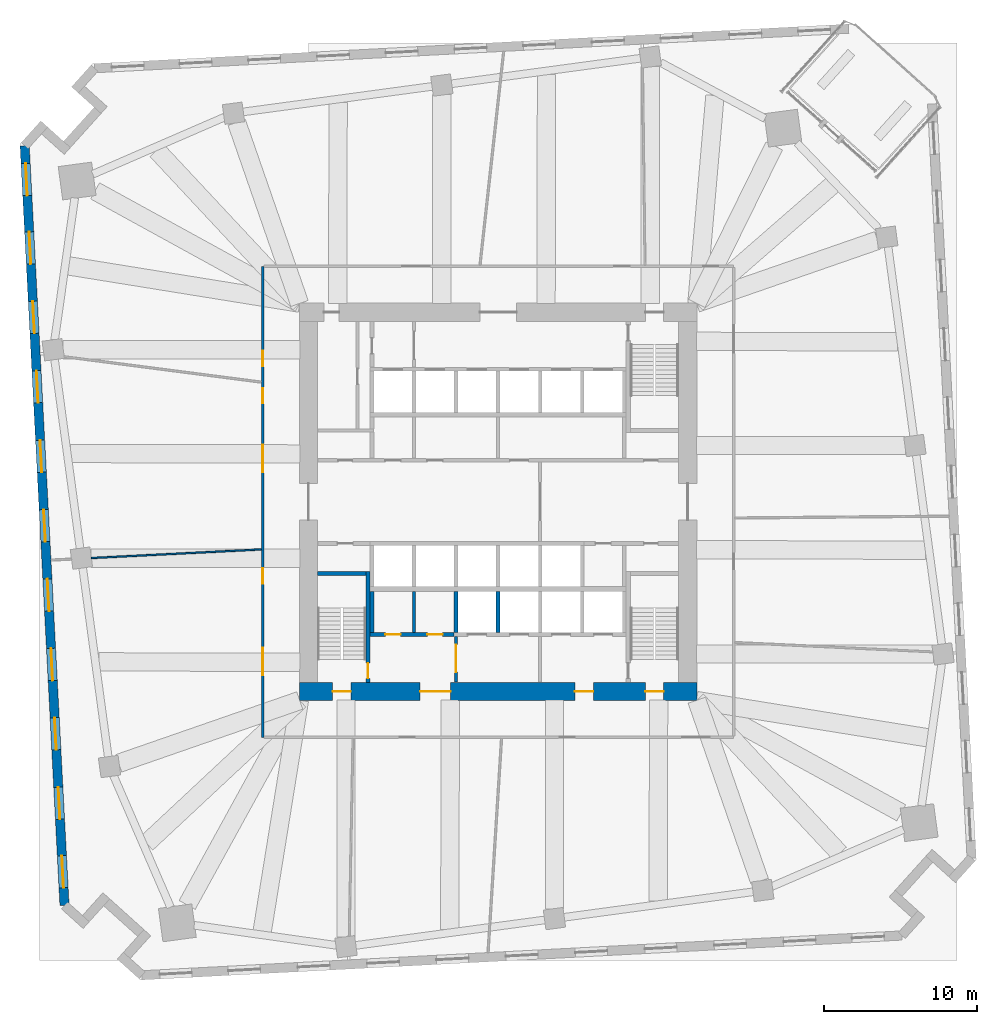
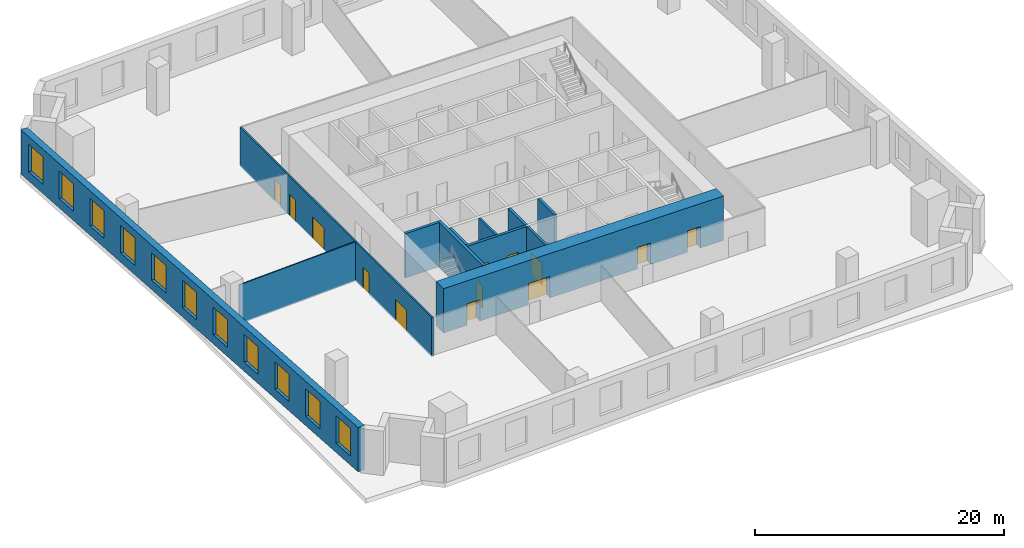
# One storey, part 4 of 10: 13 doors, 12 walls, 11 windows, 24 openings.
"""IFC4 building model written with IfcOpenShell, lengths in metres."""

from ifc_helpers import new_model, si_unit, direction, frame, frame_2d, origin, place, context, subcontext, project, spatial, rectangle, extrude, material, layer, layer_set, type_object, element, fill, save


model = new_model("IFC4")

# Units and contexts
model_context = context("Model", 3, precision=1e-05, world=origin(), true_north=direction((0.0, 1.0)))
body_context = subcontext(model_context, "Body", "Model", "MODEL_VIEW")
ifc_project = project(units=[si_unit("LENGTHUNIT", "METRE"), si_unit("AREAUNIT", "SQUARE_METRE"), si_unit("VOLUMEUNIT", "CUBIC_METRE"), si_unit("PLANEANGLEUNIT", "RADIAN"), si_unit("MASSUNIT", "GRAM", prefix="KILO")], contexts=[model_context])

# Site, building, storey
site_placement = place(None, origin())
site = spatial("IfcSite", under=ifc_project, at=site_placement, CompositionType="ELEMENT")
building_placement = place(site_placement, origin())
building = spatial("IfcBuilding", under=site, at=building_placement, Name="Dilmun Exchange Tower", CompositionType="ELEMENT")
storey_placement = place(building_placement, frame((0.0, 0.0, 22.5)))
storey = spatial("IfcBuildingStorey", under=building, at=storey_placement, Name="L05", CompositionType="ELEMENT", Elevation=22.5)

# Wall, opening, door
ifc_material_1 = material(Name="Concrete C40/50", Category="concrete")
ifc_layer_1 = layer(ifc_material_1, 0.199951171875)
ifc_layer_set_1 = layer_set([ifc_layer_1], Name="Concrete C40/50")
wall_type_1 = type_object("IfcWallType", Name="Core partition wall 200", PredefinedType="PARTITIONING", material=ifc_layer_set_1)
wall_1_placement = place(storey_placement, frame((-2.75, -11.794921875, 0.0), z_axis=(0.0, 0.0, 1.0), x_axis=(0.0, 1.0, 0.0)))
wall_1 = element("IfcWall", 1, at=wall_1_placement, inside=storey, type_object=wall_type_1, Name="L05 core partition wall 01", PredefinedType="PARTITIONING", context=body_context, shape_type="SweptSolid", body=[
    extrude(rectangle(XDim=2.989990234375, YDim=0.199951171875, at=frame_2d((1.4951171875, 0.0))), origin(), (0.0, 0.0, 1.0), 4.35009765625),
])
opening_1_placement = place(wall_1_placement, frame((0.657470703125, 0.0, 0.0)))
opening_1 = element("IfcOpeningElement", 2, at=opening_1_placement, cuts=wall_1, Name="Opening CD5", PredefinedType="OPENING", context=body_context, shape_type="SweptSolid", body=[
    extrude(rectangle(XDim=1.800048828125, YDim=2.10009765625, at=frame_2d((0.89990234375, 1.050048828125))), frame((0.0, 0.10986328125, 0.0), z_axis=(0.0, -1.0, 0.0), x_axis=(1.0, 0.0, 0.0)), (0.0, 0.0, 1.0), 0.219970703125),
])
ifc_material_2 = material(Name="Fire-rated steel door set", Category="steel")
door_type_1 = type_object("IfcDoorType", Name="Stair exit door 1800x2100", OperationType="SINGLE_SWING_LEFT", PredefinedType="DOOR", material=ifc_material_2)
door_1_placement = place(opening_1_placement, origin())
door_1 = element("IfcDoor", 3, at=door_1_placement, inside=storey, type_object=door_type_1, Name="L05 door Service lobby east", OperationType="SINGLE_SWING_LEFT", OverallHeight=2.10009765625, OverallWidth=1.800048828125, PredefinedType="DOOR", context=body_context, shape_type="SweptSolid", body=[
    extrude(rectangle(XDim=1.800048828125, YDim=2.10009765625, at=frame_2d((0.89990234375, 1.050048828125))), frame((0.0, 0.02490234375, 0.0), z_axis=(0.0, -1.0, 0.0), x_axis=(1.0, 0.0, 0.0)), (0.0, 0.0, 1.0), 0.050048828125),
])
fill(opening_1, door_1)

# Wall
wall_2_placement = place(storey_placement, frame((-5.5, -8.544921875, 0.0), z_axis=(0.0, 0.0, 1.0), x_axis=(0.0, 1.0, 0.0)))
element("IfcWall", 4, at=wall_2_placement, inside=storey, type_object=wall_type_1, Name="L05 core partition wall 05", PredefinedType="PARTITIONING", context=body_context, shape_type="SweptSolid", body=[
    extrude(rectangle(XDim=2.68994140625, YDim=0.199951171875, at=frame_2d((1.344970703125, 0.0))), origin(), (0.0, 0.0, 1.0), 4.35009765625),
])

# Wall, openings, doors
ifc_layer_2 = layer(ifc_material_1, 0.25)
ifc_layer_set_2 = layer_set([ifc_layer_2], Name="Concrete C40/50")
wall_type_2 = type_object("IfcWallType", Name="Core partition wall 250", PredefinedType="PARTITIONING", material=ifc_layer_set_2)
wall_3_placement = place(storey_placement, frame((-8.3701171875, -8.675048828125, 0.0), z_axis=(0.0, 0.0, 1.0), x_axis=(1.0, 0.0, 0.0)))
wall_3 = element("IfcWall", 5, at=wall_3_placement, inside=storey, type_object=wall_type_2, Name="L05 core partition wall 03", PredefinedType="PARTITIONING", context=body_context, shape_type="SweptSolid", body=[
    extrude(rectangle(XDim=5.490234375, YDim=0.25, at=frame_2d((2.7451171875, 0.0))), origin(), (0.0, 0.0, 1.0), 4.35009765625),
])
opening_2_placement = place(wall_3_placement, frame((0.9951171875, 0.0, 0.0)))
opening_2 = element("IfcOpeningElement", 6, at=opening_2_placement, cuts=wall_3, Name="Opening CD4", PredefinedType="OPENING", context=body_context, shape_type="SweptSolid", body=[
    extrude(rectangle(XDim=1.0, YDim=2.10009765625, at=frame_2d((0.5, 1.050048828125))), frame((0.0, 0.135009765625, 0.0), z_axis=(0.0, -1.0, 0.0), x_axis=(1.0, 0.0, 0.0)), (0.0, 0.0, 1.0), 0.27001953125),
])
opening_3_placement = place(wall_3_placement, frame((3.7451171875, 0.0, 0.0)))
opening_3 = element("IfcOpeningElement", 7, at=opening_3_placement, cuts=wall_3, Name="Opening CD4", PredefinedType="OPENING", context=body_context, shape_type="SweptSolid", body=[
    extrude(rectangle(XDim=1.0, YDim=2.10009765625, at=frame_2d((0.5, 1.050048828125))), frame((0.0, 0.135009765625, 0.0), z_axis=(0.0, -1.0, 0.0), x_axis=(1.0, 0.0, 0.0)), (0.0, 0.0, 1.0), 0.27001953125),
])
door_type_2 = type_object("IfcDoorType", Name="Core room door 1000x2100", OperationType="SINGLE_SWING_LEFT", PredefinedType="DOOR", material=ifc_material_2)
door_2_placement = place(opening_2_placement, origin())
door_2 = element("IfcDoor", 8, at=door_2_placement, inside=storey, type_object=door_type_2, Name="L05 door Male WC", OperationType="SINGLE_SWING_RIGHT", OverallHeight=2.10009765625, OverallWidth=1.0, PredefinedType="DOOR", context=body_context, shape_type="SweptSolid", body=[
    extrude(rectangle(XDim=1.0, YDim=2.10009765625, at=frame_2d((0.5, 1.050048828125))), frame((0.0, 0.02490234375, 0.0), z_axis=(0.0, -1.0, 0.0), x_axis=(1.0, 0.0, 0.0)), (0.0, 0.0, 1.0), 0.050048828125),
])
fill(opening_2, door_2)
door_3_placement = place(opening_3_placement, origin())
door_3 = element("IfcDoor", 9, at=door_3_placement, inside=storey, type_object=door_type_2, Name="L05 door Female WC", OperationType="SINGLE_SWING_RIGHT", OverallHeight=2.10009765625, OverallWidth=1.0, PredefinedType="DOOR", context=body_context, shape_type="SweptSolid", body=[
    extrude(rectangle(XDim=1.0, YDim=2.10009765625, at=frame_2d((0.5, 1.050048828125))), frame((0.0, 0.02490234375, 0.0), z_axis=(0.0, -1.0, 0.0), x_axis=(1.0, 0.0, 0.0)), (0.0, 0.0, 1.0), 0.050048828125),
])
fill(opening_3, door_3)

# Wall
wall_4_placement = place(storey_placement, frame((-8.25, -8.544921875, 0.0), z_axis=(0.0, 0.0, 1.0), x_axis=(0.0, 1.0, 0.0)))
element("IfcWall", 10, at=wall_4_placement, inside=storey, type_object=wall_type_2, Name="L05 core partition wall 04", PredefinedType="PARTITIONING", context=body_context, shape_type="SweptSolid", body=[
    extrude(rectangle(XDim=2.68994140625, YDim=0.25, at=frame_2d((1.344970703125, 0.0))), origin(), (0.0, 0.0, 1.0), 4.35009765625),
])

# Wall, openings, doors
ifc_material_3 = material(Name="Concrete C80/95", Category="concrete")
ifc_layer_3 = layer(ifc_material_3, 1.199951171875)
ifc_layer_set_3 = layer_set([ifc_layer_3], Name="Concrete C80/95")
wall_type_3 = type_object("IfcWallType", Name="Core shear wall 1200 Concrete C80/95", PredefinedType="SHEAR", material=ifc_layer_set_3)
wall_5_placement = place(storey_placement, frame((-13.0, -12.39990234375, 0.0), z_axis=(0.0, 0.0, 1.0), x_axis=(1.0, 0.0, 0.0)))
wall_5 = element("IfcWall", 11, at=wall_5_placement, inside=storey, type_object=wall_type_3, Name="L05 core shear wall S", PredefinedType="SHEAR", context=body_context, shape_type="SweptSolid", body=[
    extrude(rectangle(XDim=26.0, YDim=1.199951171875, at=frame_2d((13.0, 0.0))), origin(), (0.0, 0.0, 1.0), 4.35009765625),
])
opening_4_placement = place(wall_5_placement, frame((7.89990234375, 0.0, 0.0)))
opening_4 = element("IfcOpeningElement", 12, at=opening_4_placement, cuts=wall_5, Name="Opening CD2", PredefinedType="OPENING", context=body_context, shape_type="SweptSolid", body=[
    extrude(rectangle(XDim=2.0, YDim=2.10009765625, at=frame_2d((1.0, 1.050048828125))), frame((0.0, 0.60986328125, 0.0), z_axis=(0.0, -1.0, 0.0), x_axis=(1.0, 0.0, 0.0)), (0.0, 0.0, 1.0), 1.219970703125),
])
opening_5_placement = place(wall_5_placement, frame((18.02490234375, 0.0, 0.0)))
opening_5 = element("IfcOpeningElement", 13, at=opening_5_placement, cuts=wall_5, Name="Opening CD3", PredefinedType="OPENING", context=body_context, shape_type="SweptSolid", body=[
    extrude(rectangle(XDim=1.199951171875, YDim=2.10009765625, at=frame_2d((0.60009765625, 1.050048828125))), frame((0.0, 0.60986328125, 0.0), z_axis=(0.0, -1.0, 0.0), x_axis=(1.0, 0.0, 0.0)), (0.0, 0.0, 1.0), 1.219970703125),
])
opening_6_placement = place(wall_5_placement, frame((2.175048828125, 0.0, 0.0)))
opening_6 = element("IfcOpeningElement", 14, at=opening_6_placement, cuts=wall_5, Name="Opening CD3", PredefinedType="OPENING", context=body_context, shape_type="SweptSolid", body=[
    extrude(rectangle(XDim=1.199951171875, YDim=2.10009765625, at=frame_2d((0.60009765625, 1.050048828125))), frame((0.0, 0.60986328125, 0.0), z_axis=(0.0, -1.0, 0.0), x_axis=(1.0, 0.0, 0.0)), (0.0, 0.0, 1.0), 1.219970703125),
])
opening_7_placement = place(wall_5_placement, frame((22.625, 0.0, 0.0)))
opening_7 = element("IfcOpeningElement", 15, at=opening_7_placement, cuts=wall_5, Name="Opening CD3", PredefinedType="OPENING", context=body_context, shape_type="SweptSolid", body=[
    extrude(rectangle(XDim=1.199951171875, YDim=2.10009765625, at=frame_2d((0.60009765625, 1.050048828125))), frame((0.0, 0.60986328125, 0.0), z_axis=(0.0, -1.0, 0.0), x_axis=(1.0, 0.0, 0.0)), (0.0, 0.0, 1.0), 1.219970703125),
])
door_type_3 = type_object("IfcDoorType", Name="Core service door 2000x2100", OperationType="DOUBLE_DOOR_DOUBLE_SWING", PredefinedType="DOOR", material=ifc_material_2)
door_4_placement = place(opening_4_placement, origin())
door_4 = element("IfcDoor", 16, at=door_4_placement, inside=storey, type_object=door_type_3, Name="L05 door South service lobby", OperationType="SINGLE_SWING_LEFT", OverallHeight=2.10009765625, OverallWidth=2.0, PredefinedType="DOOR", context=body_context, shape_type="SweptSolid", body=[
    extrude(rectangle(XDim=2.0, YDim=2.10009765625, at=frame_2d((1.0, 1.050048828125))), frame((0.0, 0.02490234375, 0.0), z_axis=(0.0, -1.0, 0.0), x_axis=(1.0, 0.0, 0.0)), (0.0, 0.0, 1.0), 0.050048828125),
])
fill(opening_4, door_4)
door_type_4 = type_object("IfcDoorType", Name="Stair exit door 1200x2100", OperationType="SINGLE_SWING_LEFT", PredefinedType="DOOR", material=ifc_material_2)
door_5_placement = place(opening_5_placement, origin())
door_5 = element("IfcDoor", 17, at=door_5_placement, inside=storey, type_object=door_type_4, Name="L05 door Fire-fighting lobby", OperationType="SINGLE_SWING_LEFT", OverallHeight=2.10009765625, OverallWidth=1.199951171875, PredefinedType="DOOR", context=body_context, shape_type="SweptSolid", body=[
    extrude(rectangle(XDim=1.199951171875, YDim=2.10009765625, at=frame_2d((0.60009765625, 1.050048828125))), frame((0.0, 0.02490234375, 0.0), z_axis=(0.0, -1.0, 0.0), x_axis=(1.0, 0.0, 0.0)), (0.0, 0.0, 1.0), 0.050048828125),
])
fill(opening_5, door_5)
door_6_placement = place(opening_6_placement, origin())
door_6 = element("IfcDoor", 18, at=door_6_placement, inside=storey, type_object=door_type_4, Name="L05 door Stair ST2", OperationType="SINGLE_SWING_LEFT", OverallHeight=2.10009765625, OverallWidth=1.199951171875, PredefinedType="DOOR", context=body_context, shape_type="SweptSolid", body=[
    extrude(rectangle(XDim=1.199951171875, YDim=2.10009765625, at=frame_2d((0.60009765625, 1.050048828125))), frame((0.0, 0.02490234375, 0.0), z_axis=(0.0, -1.0, 0.0), x_axis=(1.0, 0.0, 0.0)), (0.0, 0.0, 1.0), 0.050048828125),
])
fill(opening_6, door_6)
door_7_placement = place(opening_7_placement, origin())
door_7 = element("IfcDoor", 19, at=door_7_placement, inside=storey, type_object=door_type_4, Name="L05 door Stair ST3", OperationType="SINGLE_SWING_LEFT", OverallHeight=2.10009765625, OverallWidth=1.199951171875, PredefinedType="DOOR", context=body_context, shape_type="SweptSolid", body=[
    extrude(rectangle(XDim=1.199951171875, YDim=2.10009765625, at=frame_2d((0.60009765625, 1.050048828125))), frame((0.0, 0.02490234375, 0.0), z_axis=(0.0, -1.0, 0.0), x_axis=(1.0, 0.0, 0.0)), (0.0, 0.0, 1.0), 0.050048828125),
])
fill(opening_7, door_7)

ifc_material_4 = material(Name="Corridor wall 150")
ifc_layer_4 = layer(ifc_material_4, 0.14990234375)
ifc_layer_set_4 = layer_set([ifc_layer_4], Name="Corridor wall 150")
wall_type_4 = type_object("IfcWallType", Name="Corridor wall 150", PredefinedType="PARTITIONING", material=ifc_layer_set_4)
wall_6_placement = place(storey_placement, frame((-15.39990234375, -15.39990234375, 0.0), z_axis=(0.0, 0.0, 1.0), x_axis=(0.0, 1.0, 0.0)))
wall_6 = element("IfcWall", 20, at=wall_6_placement, inside=storey, type_object=wall_type_4, Name="Corridor wall", PredefinedType="PARTITIONING", context=body_context, shape_type="SweptSolid", body=[
    extrude(rectangle(XDim=30.7998046875, YDim=0.14990234375, at=frame_2d((15.39990234375, 0.0))), origin(), (0.0, 0.0, 1.0), 3.85009765625),
])
opening_8_placement = place(wall_6_placement, frame((17.34228515625, 0.0, 0.0)))
opening_8 = element("IfcOpeningElement", 21, at=opening_8_placement, cuts=wall_6, Name="Opening TF05-D01", PredefinedType="OPENING", context=body_context, shape_type="SweptSolid", body=[
    extrude(rectangle(XDim=1.800048828125, YDim=2.10009765625, at=frame_2d((0.89990234375, 1.050048828125))), frame((0.0, 0.0849609375, 0.0), z_axis=(0.0, -1.0, 0.0), x_axis=(1.0, 0.0, 0.0)), (0.0, 0.0, 1.0), 0.169921875),
])
opening_9_placement = place(wall_6_placement, frame((21.84228515625, 0.0, 0.0)))
opening_9 = element("IfcOpeningElement", 22, at=opening_9_placement, cuts=wall_6, Name="Opening TF05-D02", PredefinedType="OPENING", context=body_context, shape_type="SweptSolid", body=[
    extrude(rectangle(XDim=1.0, YDim=2.10009765625, at=frame_2d((0.5, 1.050048828125))), frame((0.0, 0.0849609375, 0.0), z_axis=(0.0, -1.0, 0.0), x_axis=(1.0, 0.0, 0.0)), (0.0, 0.0, 1.0), 0.169921875),
])
opening_10_placement = place(wall_6_placement, frame((4.050048828125, 0.0, 0.0)))
opening_10 = element("IfcOpeningElement", 23, at=opening_10_placement, cuts=wall_6, Name="Opening TF05-D03", PredefinedType="OPENING", context=body_context, shape_type="SweptSolid", body=[
    extrude(rectangle(XDim=1.800048828125, YDim=2.10009765625, at=frame_2d((0.89990234375, 1.050048828125))), frame((0.0, 0.0849609375, 0.0), z_axis=(0.0, -1.0, 0.0), x_axis=(1.0, 0.0, 0.0)), (0.0, 0.0, 1.0), 0.169921875),
])
opening_11_placement = place(wall_6_placement, frame((10.050048828125, 0.0, 0.0)))
opening_11 = element("IfcOpeningElement", 24, at=opening_11_placement, cuts=wall_6, Name="Opening TF05-D04", PredefinedType="OPENING", context=body_context, shape_type="SweptSolid", body=[
    extrude(rectangle(XDim=1.0, YDim=2.10009765625, at=frame_2d((0.5, 1.050048828125))), frame((0.0, 0.0849609375, 0.0), z_axis=(0.0, -1.0, 0.0), x_axis=(1.0, 0.0, 0.0)), (0.0, 0.0, 1.0), 0.169921875),
])
opening_12_placement = place(wall_6_placement, frame((24.265869140625, 0.0, 0.0)))
opening_12 = element("IfcOpeningElement", 25, at=opening_12_placement, cuts=wall_6, Name="Opening TF05-D06", PredefinedType="OPENING", context=body_context, shape_type="SweptSolid", body=[
    extrude(rectangle(XDim=1.0, YDim=2.10009765625, at=frame_2d((0.5, 1.050048828125))), frame((0.0, 0.0849609375, 0.0), z_axis=(0.0, -1.0, 0.0), x_axis=(1.0, 0.0, 0.0)), (0.0, 0.0, 1.0), 0.169921875),
])
ifc_material_5 = material(Name="Fire door 1000 x 2100")
door_type_5 = type_object("IfcDoorType", Name="Fire door 1000 x 2100", OperationType="NOTDEFINED", PredefinedType="DOOR", material=ifc_material_5)
door_8_placement = place(opening_9_placement, origin())
door_8 = element("IfcDoor", 26, at=door_8_placement, inside=storey, type_object=door_type_5, Name="Door TF05-D02", OperationType="SINGLE_SWING_RIGHT", OverallHeight=2.10009765625, OverallWidth=1.0, PredefinedType="DOOR", context=body_context, shape_type="SweptSolid", body=[
    extrude(rectangle(XDim=1.0, YDim=2.10009765625, at=frame_2d((0.5, 1.050048828125))), frame((0.0, 0.02490234375, 0.0), z_axis=(0.0, -1.0, 0.0), x_axis=(1.0, 0.0, 0.0)), (0.0, 0.0, 1.0), 0.050048828125),
])
fill(opening_9, door_8)
door_9_placement = place(opening_11_placement, origin())
door_9 = element("IfcDoor", 27, at=door_9_placement, inside=storey, type_object=door_type_5, Name="Door TF05-D04", OperationType="SINGLE_SWING_RIGHT", OverallHeight=2.10009765625, OverallWidth=1.0, PredefinedType="DOOR", context=body_context, shape_type="SweptSolid", body=[
    extrude(rectangle(XDim=1.0, YDim=2.10009765625, at=frame_2d((0.5, 1.050048828125))), frame((0.0, 0.02490234375, 0.0), z_axis=(0.0, -1.0, 0.0), x_axis=(1.0, 0.0, 0.0)), (0.0, 0.0, 1.0), 0.050048828125),
])
fill(opening_11, door_9)
door_10_placement = place(opening_12_placement, origin())
door_10 = element("IfcDoor", 28, at=door_10_placement, inside=storey, type_object=door_type_5, Name="Door TF05-D06", OperationType="SINGLE_SWING_LEFT", OverallHeight=2.10009765625, OverallWidth=1.0, PredefinedType="DOOR", context=body_context, shape_type="SweptSolid", body=[
    extrude(rectangle(XDim=1.0, YDim=2.10009765625, at=frame_2d((0.5, 1.050048828125))), frame((0.0, 0.02490234375, 0.0), z_axis=(0.0, -1.0, 0.0), x_axis=(1.0, 0.0, 0.0)), (0.0, 0.0, 1.0), 0.050048828125),
])
fill(opening_12, door_10)
ifc_material_6 = material(Name="Fire door pair 1800 x 2100")
door_type_6 = type_object("IfcDoorType", Name="Fire door pair 1800 x 2100", OperationType="NOTDEFINED", PredefinedType="DOOR", material=ifc_material_6)
door_11_placement = place(opening_8_placement, origin())
door_11 = element("IfcDoor", 29, at=door_11_placement, inside=storey, type_object=door_type_6, Name="Door TF05-D01", OperationType="DOUBLE_DOOR_SINGLE_SWING", OverallHeight=2.10009765625, OverallWidth=1.800048828125, PredefinedType="DOOR", context=body_context, shape_type="SweptSolid", body=[
    extrude(rectangle(XDim=1.800048828125, YDim=2.10009765625, at=frame_2d((0.89990234375, 1.050048828125))), frame((0.0, 0.02490234375, 0.0), z_axis=(0.0, -1.0, 0.0), x_axis=(1.0, 0.0, 0.0)), (0.0, 0.0, 1.0), 0.050048828125),
])
fill(opening_8, door_11)
door_12_placement = place(opening_10_placement, origin())
door_12 = element("IfcDoor", 30, at=door_12_placement, inside=storey, type_object=door_type_6, Name="Door TF05-D03", OperationType="DOUBLE_DOOR_SINGLE_SWING", OverallHeight=2.10009765625, OverallWidth=1.800048828125, PredefinedType="DOOR", context=body_context, shape_type="SweptSolid", body=[
    extrude(rectangle(XDim=1.800048828125, YDim=2.10009765625, at=frame_2d((0.89990234375, 1.050048828125))), frame((0.0, 0.02490234375, 0.0), z_axis=(0.0, -1.0, 0.0), x_axis=(1.0, 0.0, 0.0)), (0.0, 0.0, 1.0), 0.050048828125),
])
fill(opening_10, door_12)

# Walls
ifc_layer_5 = layer(ifc_material_1, 0.25)
ifc_layer_set_5 = layer_set([ifc_layer_5], Name="Concrete C40/50")
wall_type_5 = type_object("IfcWallType", Name="Lift shaft wall 250", PredefinedType="SOLIDWALL", material=ifc_layer_set_5)
for number, where, z_axis, x_axis, name in (
    (31, (-2.75, -8.550048828125, 0.0), (0.0, 0.0, 1.0), (0.0, 1.0, 0.0), "L05 lift shaft divider S22"),
    (32, (0.0, -8.550048828125, 0.0), (0.0, 0.0, 1.0), (0.0, 1.0, 0.0), "L05 lift shaft divider S23"),
):
    element("IfcWall", number, at=place(storey_placement, frame(where, z_axis=z_axis, x_axis=x_axis)), inside=storey, type_object=wall_type_5, Name=name, PredefinedType="SOLIDWALL", context=body_context, shape_type="SweptSolid", body=[
        extrude(rectangle(XDim=2.699951171875, YDim=0.25, at=frame_2d((1.35009765625, 0.0))), origin(), (0.0, 0.0, 1.0), 4.35009765625),
    ])
ifc_material_7 = material(Name="Partition 100")
ifc_layer_6 = layer(ifc_material_7, 0.10009765625)
ifc_layer_set_6 = layer_set([ifc_layer_6], Name="Partition 100")
wall_type_6 = type_object("IfcWallType", Name="Partition 100", PredefinedType="PARTITIONING", material=ifc_layer_set_6)
wall_7_placement = place(storey_placement, frame((-26.597900390625, -3.67529296875, 0.0), z_axis=(0.0, 0.0, 1.0), x_axis=(0.998709825914, 0.050780740671, 0.0)))
element("IfcWall", 33, at=wall_7_placement, inside=storey, type_object=wall_type_6, Name="Partition", PredefinedType="PARTITIONING", context=body_context, shape_type="SweptSolid", body=[
    extrude(rectangle(XDim=11.134765625, YDim=0.10009765625, at=frame_2d((5.5673828125, 0.0))), origin(), (0.0, 0.0, 1.0), 3.85009765625),
])

# Wall, openings, windows
ifc_material_8 = material(Name="Precast concrete C50/60", Category="concrete")
ifc_layer_7 = layer(ifc_material_8, 0.60009765625)
ifc_layer_set_7 = layer_set([ifc_layer_7], Name="Precast concrete C50/60")
wall_type_7 = type_object("IfcWallType", Name="Precast stone-clad wall 600", PredefinedType="STANDARD", material=ifc_layer_set_7)
wall_8_placement = place(storey_placement, frame((-30.961181640625, 23.287353515625, 0.0), z_axis=(0.0, 0.0, 1.0), x_axis=(0.052335269612, -0.998629570739, 0.0)))
wall_8 = element("IfcWall", 34, at=wall_8_placement, inside=storey, type_object=wall_type_7, Name="Facade wall L05-09", PredefinedType="STANDARD", context=body_context, shape_type="SweptSolid", body=[
    extrude(rectangle(XDim=49.75146484375, YDim=0.60009765625, at=frame_2d((24.875732421875, 0.0))), origin(), (0.0, 0.0, 1.0), 4.35009765625),
])
opening_13_placement = place(wall_8_placement, frame((1.16064453125, 0.0, 0.89990234375)))
opening_13 = element("IfcOpeningElement", 35, at=opening_13_placement, cuts=wall_8, Name="Opening W210-270", PredefinedType="OPENING", context=body_context, shape_type="SweptSolid", body=[
    extrude(rectangle(XDim=2.10009765625, YDim=2.699951171875, at=frame_2d((1.050048828125, 1.35009765625))), frame((0.0, 0.31005859375, 0.0), z_axis=(0.0, -1.0, 0.0), x_axis=(1.0, 0.0, 0.0)), (0.0, 0.0, 1.0), 0.6201171875),
])
opening_14_placement = place(wall_8_placement, frame((5.643798828125, 0.0, 0.89990234375)))
opening_14 = element("IfcOpeningElement", 36, at=opening_14_placement, cuts=wall_8, Name="Opening W210-270", PredefinedType="OPENING", context=body_context, shape_type="SweptSolid", body=[
    extrude(rectangle(XDim=2.10009765625, YDim=2.699951171875, at=frame_2d((1.050048828125, 1.35009765625))), frame((0.0, 0.31005859375, 0.0), z_axis=(0.0, -1.0, 0.0), x_axis=(1.0, 0.0, 0.0)), (0.0, 0.0, 1.0), 0.6201171875),
])
opening_15_placement = place(wall_8_placement, frame((10.189453125, 0.0, 0.89990234375)))
opening_15 = element("IfcOpeningElement", 37, at=opening_15_placement, cuts=wall_8, Name="Opening W210-270", PredefinedType="OPENING", context=body_context, shape_type="SweptSolid", body=[
    extrude(rectangle(XDim=2.10009765625, YDim=2.699951171875, at=frame_2d((1.050048828125, 1.35009765625))), frame((0.0, 0.31005859375, 0.0), z_axis=(0.0, -1.0, 0.0), x_axis=(1.0, 0.0, 0.0)), (0.0, 0.0, 1.0), 0.6201171875),
])
opening_16_placement = place(wall_8_placement, frame((14.73486328125, 0.0, 0.89990234375)))
opening_16 = element("IfcOpeningElement", 38, at=opening_16_placement, cuts=wall_8, Name="Opening W210-270", PredefinedType="OPENING", context=body_context, shape_type="SweptSolid", body=[
    extrude(rectangle(XDim=2.10009765625, YDim=2.699951171875, at=frame_2d((1.050048828125, 1.35009765625))), frame((0.0, 0.31005859375, 0.0), z_axis=(0.0, -1.0, 0.0), x_axis=(1.0, 0.0, 0.0)), (0.0, 0.0, 1.0), 0.6201171875),
])
opening_17_placement = place(wall_8_placement, frame((19.2802734375, 0.0, 0.89990234375)))
opening_17 = element("IfcOpeningElement", 39, at=opening_17_placement, cuts=wall_8, Name="Opening W210-270", PredefinedType="OPENING", context=body_context, shape_type="SweptSolid", body=[
    extrude(rectangle(XDim=2.10009765625, YDim=2.699951171875, at=frame_2d((1.050048828125, 1.35009765625))), frame((0.0, 0.31005859375, 0.0), z_axis=(0.0, -1.0, 0.0), x_axis=(1.0, 0.0, 0.0)), (0.0, 0.0, 1.0), 0.6201171875),
])
opening_18_placement = place(wall_8_placement, frame((23.82568359375, 0.0, 0.89990234375)))
opening_18 = element("IfcOpeningElement", 40, at=opening_18_placement, cuts=wall_8, Name="Opening W210-270", PredefinedType="OPENING", context=body_context, shape_type="SweptSolid", body=[
    extrude(rectangle(XDim=2.10009765625, YDim=2.699951171875, at=frame_2d((1.050048828125, 1.35009765625))), frame((0.0, 0.31005859375, 0.0), z_axis=(0.0, -1.0, 0.0), x_axis=(1.0, 0.0, 0.0)), (0.0, 0.0, 1.0), 0.6201171875),
])
opening_19_placement = place(wall_8_placement, frame((28.37109375, 0.0, 0.89990234375)))
opening_19 = element("IfcOpeningElement", 41, at=opening_19_placement, cuts=wall_8, Name="Opening W210-270", PredefinedType="OPENING", context=body_context, shape_type="SweptSolid", body=[
    extrude(rectangle(XDim=2.10009765625, YDim=2.699951171875, at=frame_2d((1.050048828125, 1.35009765625))), frame((0.0, 0.31005859375, 0.0), z_axis=(0.0, -1.0, 0.0), x_axis=(1.0, 0.0, 0.0)), (0.0, 0.0, 1.0), 0.6201171875),
])
opening_20_placement = place(wall_8_placement, frame((32.91650390625, 0.0, 0.89990234375)))
opening_20 = element("IfcOpeningElement", 42, at=opening_20_placement, cuts=wall_8, Name="Opening W210-270", PredefinedType="OPENING", context=body_context, shape_type="SweptSolid", body=[
    extrude(rectangle(XDim=2.10009765625, YDim=2.699951171875, at=frame_2d((1.050048828125, 1.35009765625))), frame((0.0, 0.31005859375, 0.0), z_axis=(0.0, -1.0, 0.0), x_axis=(1.0, 0.0, 0.0)), (0.0, 0.0, 1.0), 0.6201171875),
])
opening_21_placement = place(wall_8_placement, frame((37.462158203125, 0.0, 0.89990234375)))
opening_21 = element("IfcOpeningElement", 43, at=opening_21_placement, cuts=wall_8, Name="Opening W210-270", PredefinedType="OPENING", context=body_context, shape_type="SweptSolid", body=[
    extrude(rectangle(XDim=2.10009765625, YDim=2.699951171875, at=frame_2d((1.050048828125, 1.35009765625))), frame((0.0, 0.31005859375, 0.0), z_axis=(0.0, -1.0, 0.0), x_axis=(1.0, 0.0, 0.0)), (0.0, 0.0, 1.0), 0.6201171875),
])
opening_22_placement = place(wall_8_placement, frame((42.007568359375, 0.0, 0.89990234375)))
opening_22 = element("IfcOpeningElement", 44, at=opening_22_placement, cuts=wall_8, Name="Opening W210-270", PredefinedType="OPENING", context=body_context, shape_type="SweptSolid", body=[
    extrude(rectangle(XDim=2.10009765625, YDim=2.699951171875, at=frame_2d((1.050048828125, 1.35009765625))), frame((0.0, 0.31005859375, 0.0), z_axis=(0.0, -1.0, 0.0), x_axis=(1.0, 0.0, 0.0)), (0.0, 0.0, 1.0), 0.6201171875),
])
opening_23_placement = place(wall_8_placement, frame((46.490966796875, 0.0, 0.89990234375)))
opening_23 = element("IfcOpeningElement", 45, at=opening_23_placement, cuts=wall_8, Name="Opening W210-270", PredefinedType="OPENING", context=body_context, shape_type="SweptSolid", body=[
    extrude(rectangle(XDim=2.10009765625, YDim=2.699951171875, at=frame_2d((1.050048828125, 1.35009765625))), frame((0.0, 0.31005859375, 0.0), z_axis=(0.0, -1.0, 0.0), x_axis=(1.0, 0.0, 0.0)), (0.0, 0.0, 1.0), 0.6201171875),
])
ifc_material_9 = material(Name="Clear low-emissivity glass in aluminium frame", Category="aluminium")
window_type = type_object("IfcWindowType", Name="Punched window 2100 x 2700", PartitioningType="DOUBLE_PANEL_VERTICAL", PredefinedType="WINDOW", material=ifc_material_9)
window_1_placement = place(opening_13_placement, origin())
window_1 = element("IfcWindow", 46, at=window_1_placement, inside=storey, type_object=window_type, Name="Window 10.1", OverallHeight=2.699951171875, OverallWidth=2.10009765625, PartitioningType="SINGLE_PANEL", PredefinedType="WINDOW", context=body_context, shape_type="SweptSolid", body=[
    extrude(rectangle(XDim=2.10009765625, YDim=2.699951171875, at=frame_2d((1.050048828125, 1.35009765625))), frame((0.0, 0.030029296875, 0.0), z_axis=(0.0, -1.0, 0.0), x_axis=(1.0, 0.0, 0.0)), (0.0, 0.0, 1.0), 0.06005859375),
])
fill(opening_13, window_1)
window_2_placement = place(opening_14_placement, origin())
window_2 = element("IfcWindow", 47, at=window_2_placement, inside=storey, type_object=window_type, Name="Window 10.2", OverallHeight=2.699951171875, OverallWidth=2.10009765625, PartitioningType="SINGLE_PANEL", PredefinedType="WINDOW", context=body_context, shape_type="SweptSolid", body=[
    extrude(rectangle(XDim=2.10009765625, YDim=2.699951171875, at=frame_2d((1.050048828125, 1.35009765625))), frame((0.0, 0.030029296875, 0.0), z_axis=(0.0, -1.0, 0.0), x_axis=(1.0, 0.0, 0.0)), (0.0, 0.0, 1.0), 0.06005859375),
])
fill(opening_14, window_2)
window_3_placement = place(opening_15_placement, origin())
window_3 = element("IfcWindow", 48, at=window_3_placement, inside=storey, type_object=window_type, Name="Window 10.3", OverallHeight=2.699951171875, OverallWidth=2.10009765625, PartitioningType="SINGLE_PANEL", PredefinedType="WINDOW", context=body_context, shape_type="SweptSolid", body=[
    extrude(rectangle(XDim=2.10009765625, YDim=2.699951171875, at=frame_2d((1.050048828125, 1.35009765625))), frame((0.0, 0.030029296875, 0.0), z_axis=(0.0, -1.0, 0.0), x_axis=(1.0, 0.0, 0.0)), (0.0, 0.0, 1.0), 0.06005859375),
])
fill(opening_15, window_3)
window_4_placement = place(opening_16_placement, origin())
window_4 = element("IfcWindow", 49, at=window_4_placement, inside=storey, type_object=window_type, Name="Window 10.4", OverallHeight=2.699951171875, OverallWidth=2.10009765625, PartitioningType="SINGLE_PANEL", PredefinedType="WINDOW", context=body_context, shape_type="SweptSolid", body=[
    extrude(rectangle(XDim=2.10009765625, YDim=2.699951171875, at=frame_2d((1.050048828125, 1.35009765625))), frame((0.0, 0.030029296875, 0.0), z_axis=(0.0, -1.0, 0.0), x_axis=(1.0, 0.0, 0.0)), (0.0, 0.0, 1.0), 0.06005859375),
])
fill(opening_16, window_4)
window_5_placement = place(opening_17_placement, origin())
window_5 = element("IfcWindow", 50, at=window_5_placement, inside=storey, type_object=window_type, Name="Window 10.5", OverallHeight=2.699951171875, OverallWidth=2.10009765625, PartitioningType="SINGLE_PANEL", PredefinedType="WINDOW", context=body_context, shape_type="SweptSolid", body=[
    extrude(rectangle(XDim=2.10009765625, YDim=2.699951171875, at=frame_2d((1.050048828125, 1.35009765625))), frame((0.0, 0.030029296875, 0.0), z_axis=(0.0, -1.0, 0.0), x_axis=(1.0, 0.0, 0.0)), (0.0, 0.0, 1.0), 0.06005859375),
])
fill(opening_17, window_5)
window_6_placement = place(opening_18_placement, origin())
window_6 = element("IfcWindow", 51, at=window_6_placement, inside=storey, type_object=window_type, Name="Window 10.6", OverallHeight=2.699951171875, OverallWidth=2.10009765625, PartitioningType="SINGLE_PANEL", PredefinedType="WINDOW", context=body_context, shape_type="SweptSolid", body=[
    extrude(rectangle(XDim=2.10009765625, YDim=2.699951171875, at=frame_2d((1.050048828125, 1.35009765625))), frame((0.0, 0.030029296875, 0.0), z_axis=(0.0, -1.0, 0.0), x_axis=(1.0, 0.0, 0.0)), (0.0, 0.0, 1.0), 0.06005859375),
])
fill(opening_18, window_6)
window_7_placement = place(opening_19_placement, origin())
window_7 = element("IfcWindow", 52, at=window_7_placement, inside=storey, type_object=window_type, Name="Window 10.7", OverallHeight=2.699951171875, OverallWidth=2.10009765625, PartitioningType="SINGLE_PANEL", PredefinedType="WINDOW", context=body_context, shape_type="SweptSolid", body=[
    extrude(rectangle(XDim=2.10009765625, YDim=2.699951171875, at=frame_2d((1.050048828125, 1.35009765625))), frame((0.0, 0.030029296875, 0.0), z_axis=(0.0, -1.0, 0.0), x_axis=(1.0, 0.0, 0.0)), (0.0, 0.0, 1.0), 0.06005859375),
])
fill(opening_19, window_7)
window_8_placement = place(opening_20_placement, origin())
window_8 = element("IfcWindow", 53, at=window_8_placement, inside=storey, type_object=window_type, Name="Window 10.8", OverallHeight=2.699951171875, OverallWidth=2.10009765625, PartitioningType="SINGLE_PANEL", PredefinedType="WINDOW", context=body_context, shape_type="SweptSolid", body=[
    extrude(rectangle(XDim=2.10009765625, YDim=2.699951171875, at=frame_2d((1.050048828125, 1.35009765625))), frame((0.0, 0.030029296875, 0.0), z_axis=(0.0, -1.0, 0.0), x_axis=(1.0, 0.0, 0.0)), (0.0, 0.0, 1.0), 0.06005859375),
])
fill(opening_20, window_8)
window_9_placement = place(opening_21_placement, origin())
window_9 = element("IfcWindow", 54, at=window_9_placement, inside=storey, type_object=window_type, Name="Window 10.9", OverallHeight=2.699951171875, OverallWidth=2.10009765625, PartitioningType="SINGLE_PANEL", PredefinedType="WINDOW", context=body_context, shape_type="SweptSolid", body=[
    extrude(rectangle(XDim=2.10009765625, YDim=2.699951171875, at=frame_2d((1.050048828125, 1.35009765625))), frame((0.0, 0.030029296875, 0.0), z_axis=(0.0, -1.0, 0.0), x_axis=(1.0, 0.0, 0.0)), (0.0, 0.0, 1.0), 0.06005859375),
])
fill(opening_21, window_9)
window_10_placement = place(opening_22_placement, origin())
window_10 = element("IfcWindow", 55, at=window_10_placement, inside=storey, type_object=window_type, Name="Window 10.10", OverallHeight=2.699951171875, OverallWidth=2.10009765625, PartitioningType="SINGLE_PANEL", PredefinedType="WINDOW", context=body_context, shape_type="SweptSolid", body=[
    extrude(rectangle(XDim=2.10009765625, YDim=2.699951171875, at=frame_2d((1.050048828125, 1.35009765625))), frame((0.0, 0.030029296875, 0.0), z_axis=(0.0, -1.0, 0.0), x_axis=(1.0, 0.0, 0.0)), (0.0, 0.0, 1.0), 0.06005859375),
])
fill(opening_22, window_10)
window_11_placement = place(opening_23_placement, origin())
window_11 = element("IfcWindow", 56, at=window_11_placement, inside=storey, type_object=window_type, Name="Window 10.11", OverallHeight=2.699951171875, OverallWidth=2.10009765625, PartitioningType="SINGLE_PANEL", PredefinedType="WINDOW", context=body_context, shape_type="SweptSolid", body=[
    extrude(rectangle(XDim=2.10009765625, YDim=2.699951171875, at=frame_2d((1.050048828125, 1.35009765625))), frame((0.0, 0.030029296875, 0.0), z_axis=(0.0, -1.0, 0.0), x_axis=(1.0, 0.0, 0.0)), (0.0, 0.0, 1.0), 0.06005859375),
])
fill(opening_23, window_11)

# Wall
ifc_layer_8 = layer(ifc_material_1, 0.25)
ifc_layer_set_8 = layer_set([ifc_layer_8], Name="Concrete C40/50")
wall_type_8 = type_object("IfcWallType", Name="Stair end wall 250", PredefinedType="SOLIDWALL", material=ifc_layer_set_8)
wall_9_placement = place(storey_placement, frame((-8.64990234375, -4.675048828125, 0.0), z_axis=(0.0, 0.0, 1.0), x_axis=(-1.0, 0.0, 0.0)))
element("IfcWall", 57, at=wall_9_placement, inside=storey, type_object=wall_type_8, Name="L05 ST2 far wall", PredefinedType="SOLIDWALL", context=body_context, shape_type="SweptSolid", body=[
    extrude(rectangle(XDim=3.150146484375, YDim=0.25, at=frame_2d((1.5751953125, 0.0))), origin(), (0.0, 0.0, 1.0), 4.35009765625),
])

# Wall, opening, door
ifc_layer_9 = layer(ifc_material_1, 0.27490234375)
ifc_layer_set_9 = layer_set([ifc_layer_9], Name="Concrete C40/50")
wall_type_9 = type_object("IfcWallType", Name="Stair wall 275", PredefinedType="SOLIDWALL", material=ifc_layer_set_9)
wall_10_placement = place(storey_placement, frame((-8.512451171875, -4.550048828125, 0.0), z_axis=(0.0, 0.0, 1.0), x_axis=(0.0, -1.0, 0.0)))
wall_10 = element("IfcWall", 58, at=wall_10_placement, inside=storey, type_object=wall_type_9, Name="L05 ST2 wall to lift block", PredefinedType="SOLIDWALL", context=body_context, shape_type="SweptSolid", body=[
    extrude(rectangle(XDim=7.25, YDim=0.27490234375, at=frame_2d((3.625, 0.0))), origin(), (0.0, 0.0, 1.0), 4.35009765625),
])
opening_24_placement = place(wall_10_placement, frame((6.0, 0.0, 0.0)))
opening_24 = element("IfcOpeningElement", 59, at=opening_24_placement, cuts=wall_10, Name="Opening CD4", PredefinedType="OPENING", context=body_context, shape_type="SweptSolid", body=[
    extrude(rectangle(XDim=1.0, YDim=2.10009765625, at=frame_2d((0.5, 1.050048828125))), frame((0.0, 0.1474609375, 0.0), z_axis=(0.0, -1.0, 0.0), x_axis=(1.0, 0.0, 0.0)), (0.0, 0.0, 1.0), 0.294921875),
])
door_13_placement = place(opening_24_placement, origin())
door_13 = element("IfcDoor", 60, at=door_13_placement, inside=storey, type_object=door_type_2, Name="L05 door ST2 from lobby", OperationType="SINGLE_SWING_LEFT", OverallHeight=2.10009765625, OverallWidth=1.0, PredefinedType="DOOR", context=body_context, shape_type="SweptSolid", body=[
    extrude(rectangle(XDim=1.0, YDim=2.10009765625, at=frame_2d((0.5, 1.050048828125))), frame((0.0, 0.02490234375, 0.0), z_axis=(0.0, -1.0, 0.0), x_axis=(1.0, 0.0, 0.0)), (0.0, 0.0, 1.0), 0.050048828125),
])
fill(opening_24, door_13)

save(model, "model.ifc")
